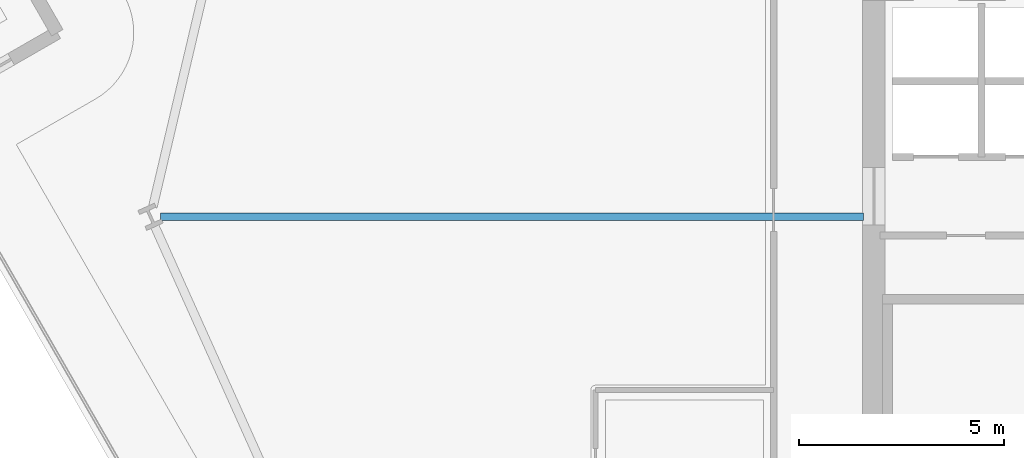
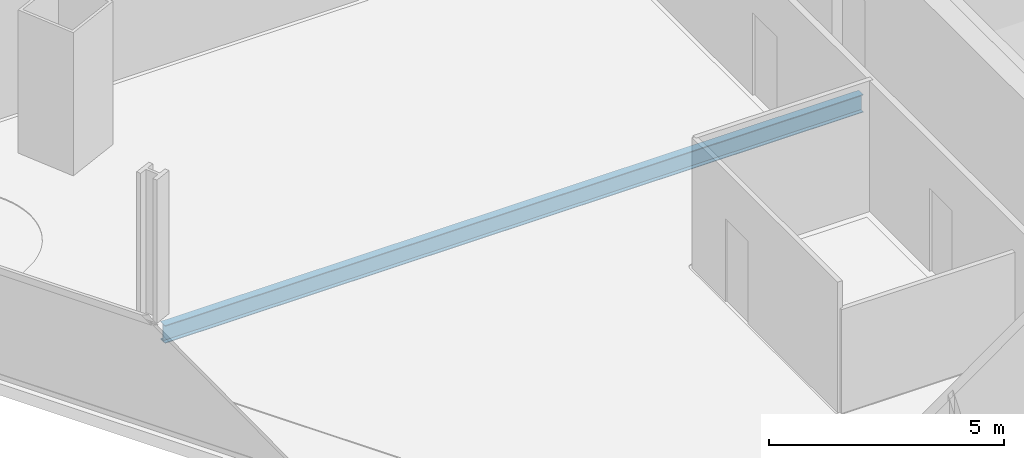
# One storey, part 12 of 33: 1 beam.
"""IFC4 building model written with IfcOpenShell, lengths in metres."""

from ifc_helpers import new_model, si_unit, direction, frame, origin, origin_2d, place, context, subcontext, project, spatial, i_section, extrude, material, material_profile, profile_set, type_object, element, save


model = new_model("IFC4")

# Units and contexts
model_context = context("Model", 3, precision=1e-05, world=origin(), true_north=direction((0.0, 1.0)))
body_context = subcontext(model_context, "Body", "Model", "MODEL_VIEW")
ifc_project = project(units=[si_unit("LENGTHUNIT", "METRE"), si_unit("AREAUNIT", "SQUARE_METRE"), si_unit("VOLUMEUNIT", "CUBIC_METRE"), si_unit("PLANEANGLEUNIT", "RADIAN"), si_unit("MASSUNIT", "GRAM", prefix="KILO")], contexts=[model_context])

# Site, building, storey
site_placement = place(None, origin())
site = spatial("IfcSite", under=ifc_project, at=site_placement, CompositionType="ELEMENT")
building_placement = place(site_placement, origin())
building = spatial("IfcBuilding", under=site, at=building_placement, Name="Haldenkirk Collegiate Tower", CompositionType="ELEMENT")
storey_placement = place(building_placement, frame((0.0, 0.0, 127.949951171875)))
storey = spatial("IfcBuildingStorey", under=building, at=storey_placement, Name="L31", CompositionType="ELEMENT", Elevation=127.949951171875)

# Beam
ifc_material = material(Name="Steel ASTM A992 Grade 50", Category="steel")
ifc_material_profile = material_profile(ifc_material, i_section(OverallWidth=0.19189453125, OverallDepth=0.462890625, WebThickness=0.010498046875, FlangeThickness=0.017578125, at=origin_2d()), Name="W18X60")
ifc_profile_set = profile_set([ifc_material_profile], Name="Steel ASTM A992 Grade 50")
beam_type = type_object("IfcBeamType", Name="BM-JOIST-W18X60", PredefinedType="JOIST", material=ifc_profile_set)
beam_placement = place(storey_placement, frame((9.563232421875, 28.436767578125, -0.531494140625), z_axis=(1.0, 0.0, 0.0), x_axis=(0.0, 1.0, 0.0)))
element("IfcBeam", 1, at=beam_placement, inside=storey, type_object=beam_type, Name="L31 composite floor joist 14", PredefinedType="JOIST", context=body_context, shape_type="SweptSolid", body=[
    extrude(i_section(OverallWidth=0.19189453125, OverallDepth=0.462890625, WebThickness=0.010498046875, FlangeThickness=0.017578125, at=origin_2d()), origin(), (0.0, 0.0, 1.0), 17.181884765625),
])

save(model, "model.ifc")
